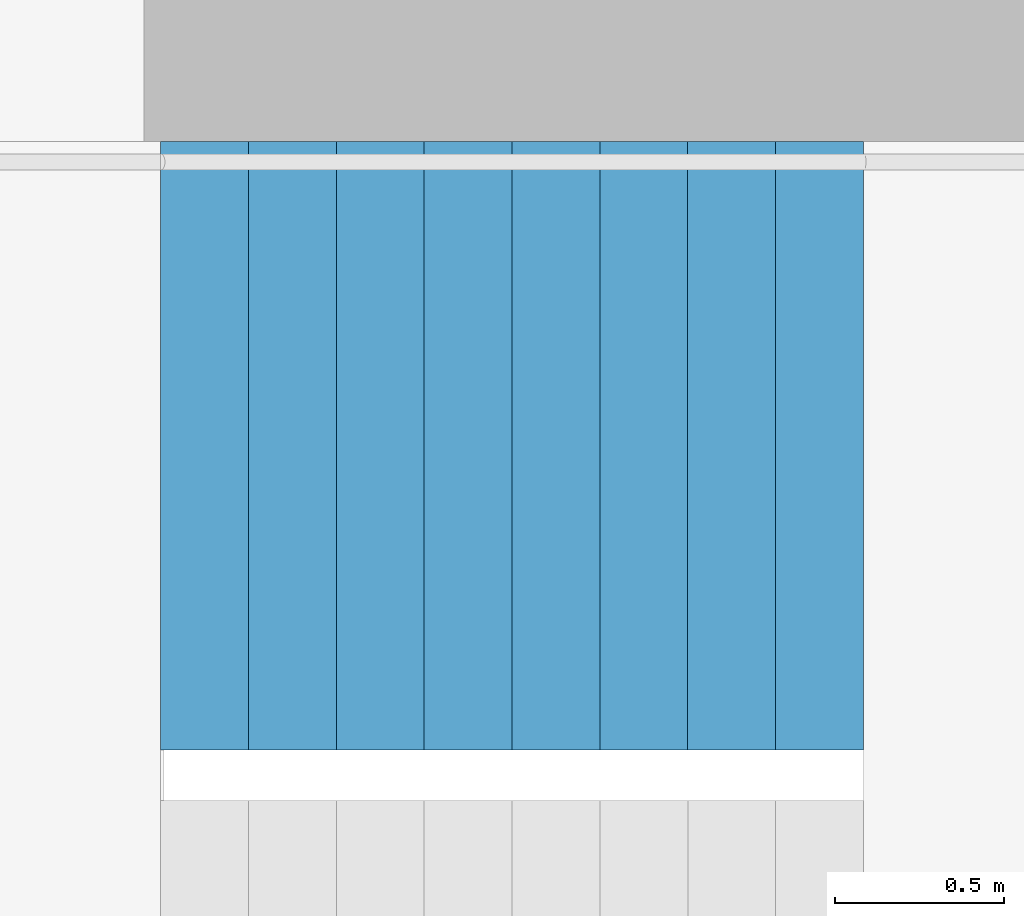
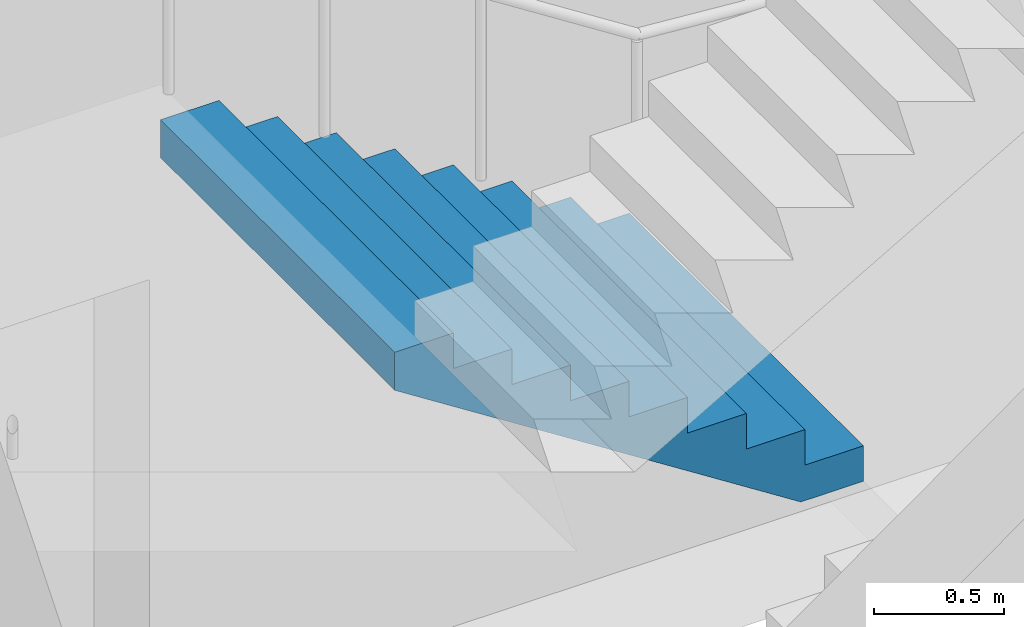
# One storey, part 24 of 35: 1 stair flight, 1 element without a shape of its own.
"""IFC4 building model written with IfcOpenShell, lengths in metres."""

from ifc_helpers import new_model, si_unit, direction, frame, origin, place, context, subcontext, project, spatial, triangles, material, type_object, element, aggregate, save


model = new_model("IFC4")

# Units and contexts
model_context = context("Model", 3, precision=1e-05, world=origin(), true_north=direction((0.0, 1.0)))
body_context = subcontext(model_context, "Body", "Model", "MODEL_VIEW")
ifc_project = project(units=[si_unit("LENGTHUNIT", "METRE"), si_unit("AREAUNIT", "SQUARE_METRE"), si_unit("VOLUMEUNIT", "CUBIC_METRE"), si_unit("PLANEANGLEUNIT", "RADIAN"), si_unit("MASSUNIT", "GRAM", prefix="KILO")], contexts=[model_context])

# Site, building, storey
site_placement = place(None, origin())
site = spatial("IfcSite", under=ifc_project, at=site_placement, CompositionType="ELEMENT")
building_placement = place(site_placement, origin())
building = spatial("IfcBuilding", under=site, at=building_placement, Name="Hakoniwa Tower and Hamabe Station Hall", CompositionType="ELEMENT")
storey_placement = place(building_placement, frame((0.0, 0.0, 264.60009765625)))
storey = spatial("IfcBuildingStorey", under=building, at=storey_placement, Name="L75", CompositionType="ELEMENT", Elevation=264.60009765625)

# Stair, stair flight
ifc_material_1 = material(Name="Concrete C40", Category="concrete")
stair_type = type_object("IfcStairType", Name="ESCAPE STAIR 1800", PredefinedType="HALF_TURN_STAIR", material=ifc_material_1)
stair_placement = place(storey_placement, origin())
stair = element("IfcStair", 1, at=stair_placement, inside=storey, type_object=stair_type, Name="Escape stair ST-1 L75", PredefinedType="HALF_TURN_STAIR")
ifc_material_2 = material(Name="Concrete C40", Category="concrete")
stair_flight_type = type_object("IfcStairFlightType", Name="STAIR FLIGHT 1800", PredefinedType="STRAIGHT", material=ifc_material_2)
stair_flight_placement = place(storey_placement, frame((-22.320068359375, 6.60009765625, 1.5), z_axis=(0.0, 0.0, 1.0), x_axis=(-1.0, 0.0, 0.0)))
stair_flight = element("IfcStairFlight", 2, at=stair_flight_placement, type_object=stair_flight_type, Name="ST-1 flight 2", NumberOfRisers=9, NumberOfTreads=8, PredefinedType="STRAIGHT", RiserHeight=0.166666667, TreadLength=0.26, context=body_context, shape_type="Tessellation", body=[
    triangles([(0.0, 0.89990234375, 0.0), (0.260009765625, 0.89990234375, 0.0), (0.27783203125, 0.89990234375, 0.0), (0.52001953125, 0.89990234375, 0.1552734375), (0.780029296875, 0.89990234375, 0.322021484375), (1.0400390625, 0.89990234375, 0.488525390625), (1.300048828125, 0.89990234375, 0.6552734375), (1.56005859375, 0.89990234375, 0.822021484375), (1.820068359375, 0.89990234375, 0.988525390625), (2.080078125, 0.89990234375, 1.1552734375), (2.080078125, 0.89990234375, 1.333251953125), (1.820068359375, 0.89990234375, 1.333251953125), (1.820068359375, 0.89990234375, 1.166748046875), (1.56005859375, 0.89990234375, 1.166748046875), (1.56005859375, 0.89990234375, 1.0), (1.300048828125, 0.89990234375, 1.0), (1.300048828125, 0.89990234375, 0.833251953125), (1.0400390625, 0.89990234375, 0.833251953125), (1.0400390625, 0.89990234375, 0.666748046875), (0.780029296875, 0.89990234375, 0.666748046875), (0.780029296875, 0.89990234375, 0.5), (0.52001953125, 0.89990234375, 0.5), (0.52001953125, 0.89990234375, 0.333251953125), (0.27783203125, 0.89990234375, 0.333251953125), (0.260009765625, 0.89990234375, 0.333251953125), (0.260009765625, 0.89990234375, 0.166748046875), (0.0, 0.89990234375, 0.166748046875), (0.0, 0.06005859375, 0.0), (0.260009765625, 0.06005859375, 0.0), (0.27783203125, 0.06005859375, 0.0), (0.52001953125, 0.06005859375, 0.1552734375), (0.780029296875, 0.06005859375, 0.322021484375), (1.0400390625, 0.06005859375, 0.488525390625), (1.300048828125, 0.06005859375, 0.6552734375), (1.56005859375, 0.06005859375, 0.822021484375), (1.820068359375, 0.06005859375, 0.988525390625), (2.080078125, 0.06005859375, 1.1552734375), (2.080078125, 0.06005859375, 1.333251953125), (1.820068359375, 0.06005859375, 1.333251953125), (1.820068359375, 0.06005859375, 1.166748046875), (1.56005859375, 0.06005859375, 1.166748046875), (1.56005859375, 0.06005859375, 1.0), (1.300048828125, 0.06005859375, 1.0), (1.300048828125, 0.06005859375, 0.833251953125), (1.0400390625, 0.06005859375, 0.833251953125), (1.0400390625, 0.06005859375, 0.666748046875), (0.780029296875, 0.06005859375, 0.666748046875), (0.780029296875, 0.06005859375, 0.5), (0.52001953125, 0.06005859375, 0.5), (0.52001953125, 0.06005859375, 0.333251953125), (0.27783203125, 0.06005859375, 0.333251953125), (0.260009765625, 0.06005859375, 0.333251953125), (0.260009765625, 0.06005859375, 0.166748046875), (0.0, 0.06005859375, 0.166748046875), (0.0, 0.04296875, 0.0), (0.260009765625, 0.04296875, 0.0), (0.27783203125, 0.04296875, 0.0), (0.52001953125, 0.04296875, 0.1552734375), (0.780029296875, 0.04296875, 0.322021484375), (1.0400390625, 0.04296875, 0.488525390625), (1.300048828125, 0.04296875, 0.6552734375), (1.56005859375, 0.04296875, 0.822021484375), (1.820068359375, 0.04296875, 0.988525390625), (2.080078125, 0.04296875, 1.1552734375), (2.080078125, 0.04296875, 1.333251953125), (1.820068359375, 0.04296875, 1.333251953125), (1.820068359375, 0.04296875, 1.166748046875), (1.56005859375, 0.04296875, 1.166748046875), (1.56005859375, 0.04296875, 1.0), (1.300048828125, 0.04296875, 1.0), (1.300048828125, 0.04296875, 0.833251953125), (1.0400390625, 0.04296875, 0.833251953125), (1.0400390625, 0.04296875, 0.666748046875), (0.780029296875, 0.04296875, 0.666748046875), (0.780029296875, 0.04296875, 0.5), (0.52001953125, 0.04296875, 0.5), (0.52001953125, 0.04296875, 0.333251953125), (0.27783203125, 0.04296875, 0.333251953125), (0.260009765625, 0.04296875, 0.333251953125), (0.260009765625, 0.04296875, 0.166748046875), (0.0, 0.04296875, 0.166748046875), (0.0, 0.025634765625, 0.0), (0.260009765625, 0.025634765625, 0.0), (0.27783203125, 0.025634765625, 0.0), (0.52001953125, 0.025634765625, 0.1552734375), (0.780029296875, 0.025634765625, 0.322021484375), (1.0400390625, 0.025634765625, 0.488525390625), (1.300048828125, 0.025634765625, 0.6552734375), (1.56005859375, 0.025634765625, 0.822021484375), (1.820068359375, 0.025634765625, 0.988525390625), (2.080078125, 0.025634765625, 1.1552734375), (2.080078125, 0.025634765625, 1.333251953125), (1.820068359375, 0.025634765625, 1.333251953125), (1.820068359375, 0.025634765625, 1.166748046875), (1.56005859375, 0.025634765625, 1.166748046875), (1.56005859375, 0.025634765625, 1.0), (1.300048828125, 0.025634765625, 1.0), (1.300048828125, 0.025634765625, 0.833251953125), (1.0400390625, 0.025634765625, 0.833251953125), (1.0400390625, 0.025634765625, 0.666748046875), (0.780029296875, 0.025634765625, 0.666748046875), (0.780029296875, 0.025634765625, 0.5), (0.52001953125, 0.025634765625, 0.5), (0.52001953125, 0.025634765625, 0.333251953125), (0.27783203125, 0.025634765625, 0.333251953125), (0.260009765625, 0.025634765625, 0.333251953125), (0.260009765625, 0.025634765625, 0.166748046875), (0.0, 0.025634765625, 0.166748046875), (0.0, 0.008544921875, 0.0), (0.260009765625, 0.008544921875, 0.0), (0.27783203125, 0.008544921875, 0.0), (0.52001953125, 0.008544921875, 0.1552734375), (0.780029296875, 0.008544921875, 0.322021484375), (1.0400390625, 0.008544921875, 0.488525390625), (1.300048828125, 0.008544921875, 0.6552734375), (1.56005859375, 0.008544921875, 0.822021484375), (1.820068359375, 0.008544921875, 0.988525390625), (2.080078125, 0.008544921875, 1.1552734375), (2.080078125, 0.008544921875, 1.333251953125), (1.820068359375, 0.008544921875, 1.333251953125), (1.820068359375, 0.008544921875, 1.166748046875), (1.56005859375, 0.008544921875, 1.166748046875), (1.56005859375, 0.008544921875, 1.0), (1.300048828125, 0.008544921875, 1.0), (1.300048828125, 0.008544921875, 0.833251953125), (1.0400390625, 0.008544921875, 0.833251953125), (1.0400390625, 0.008544921875, 0.666748046875), (0.780029296875, 0.008544921875, 0.666748046875), (0.780029296875, 0.008544921875, 0.5), (0.52001953125, 0.008544921875, 0.5), (0.52001953125, 0.008544921875, 0.333251953125), (0.27783203125, 0.008544921875, 0.333251953125), (0.260009765625, 0.008544921875, 0.333251953125), (0.260009765625, 0.008544921875, 0.166748046875), (0.0, 0.008544921875, 0.166748046875), (0.0, -0.008544921875, 0.0), (0.260009765625, -0.008544921875, 0.0), (0.27783203125, -0.008544921875, 0.0), (0.52001953125, -0.008544921875, 0.1552734375), (0.780029296875, -0.008544921875, 0.322021484375), (1.0400390625, -0.008544921875, 0.488525390625), (1.300048828125, -0.008544921875, 0.6552734375), (1.56005859375, -0.008544921875, 0.822021484375), (1.820068359375, -0.008544921875, 0.988525390625), (2.080078125, -0.008544921875, 1.1552734375), (2.080078125, -0.008544921875, 1.333251953125), (1.820068359375, -0.008544921875, 1.333251953125), (1.820068359375, -0.008544921875, 1.166748046875), (1.56005859375, -0.008544921875, 1.166748046875), (1.56005859375, -0.008544921875, 1.0), (1.300048828125, -0.008544921875, 1.0), (1.300048828125, -0.008544921875, 0.833251953125), (1.0400390625, -0.008544921875, 0.833251953125), (1.0400390625, -0.008544921875, 0.666748046875), (0.780029296875, -0.008544921875, 0.666748046875), (0.780029296875, -0.008544921875, 0.5), (0.52001953125, -0.008544921875, 0.5), (0.52001953125, -0.008544921875, 0.333251953125), (0.27783203125, -0.008544921875, 0.333251953125), (0.260009765625, -0.008544921875, 0.333251953125), (0.260009765625, -0.008544921875, 0.166748046875), (0.0, -0.008544921875, 0.166748046875), (0.0, -0.025634765625, 0.0), (0.260009765625, -0.025634765625, 0.0), (0.27783203125, -0.025634765625, 0.0), (0.52001953125, -0.025634765625, 0.1552734375), (0.780029296875, -0.025634765625, 0.322021484375), (1.0400390625, -0.025634765625, 0.488525390625), (1.300048828125, -0.025634765625, 0.6552734375), (1.56005859375, -0.025634765625, 0.822021484375), (1.820068359375, -0.025634765625, 0.988525390625), (2.080078125, -0.025634765625, 1.1552734375), (2.080078125, -0.025634765625, 1.333251953125), (1.820068359375, -0.025634765625, 1.333251953125), (1.820068359375, -0.025634765625, 1.166748046875), (1.56005859375, -0.025634765625, 1.166748046875), (1.56005859375, -0.025634765625, 1.0), (1.300048828125, -0.025634765625, 1.0), (1.300048828125, -0.025634765625, 0.833251953125), (1.0400390625, -0.025634765625, 0.833251953125), (1.0400390625, -0.025634765625, 0.666748046875), (0.780029296875, -0.025634765625, 0.666748046875), (0.780029296875, -0.025634765625, 0.5), (0.52001953125, -0.025634765625, 0.5), (0.52001953125, -0.025634765625, 0.333251953125), (0.27783203125, -0.025634765625, 0.333251953125), (0.260009765625, -0.025634765625, 0.333251953125), (0.260009765625, -0.025634765625, 0.166748046875), (0.0, -0.025634765625, 0.166748046875), (0.0, -0.04296875, 0.0), (0.260009765625, -0.04296875, 0.0), (0.27783203125, -0.04296875, 0.0), (0.52001953125, -0.04296875, 0.1552734375), (0.780029296875, -0.04296875, 0.322021484375), (1.0400390625, -0.04296875, 0.488525390625), (1.300048828125, -0.04296875, 0.6552734375), (1.56005859375, -0.04296875, 0.822021484375), (1.820068359375, -0.04296875, 0.988525390625), (2.080078125, -0.04296875, 1.1552734375), (2.080078125, -0.04296875, 1.333251953125), (1.820068359375, -0.04296875, 1.333251953125), (1.820068359375, -0.04296875, 1.166748046875), (1.56005859375, -0.04296875, 1.166748046875), (1.56005859375, -0.04296875, 1.0), (1.300048828125, -0.04296875, 1.0), (1.300048828125, -0.04296875, 0.833251953125), (1.0400390625, -0.04296875, 0.833251953125), (1.0400390625, -0.04296875, 0.666748046875), (0.780029296875, -0.04296875, 0.666748046875), (0.780029296875, -0.04296875, 0.5), (0.52001953125, -0.04296875, 0.5), (0.52001953125, -0.04296875, 0.333251953125), (0.27783203125, -0.04296875, 0.333251953125), (0.260009765625, -0.04296875, 0.333251953125), (0.260009765625, -0.04296875, 0.166748046875), (0.0, -0.04296875, 0.166748046875), (0.0, -0.06005859375, 0.0), (0.260009765625, -0.06005859375, 0.0), (0.27783203125, -0.06005859375, 0.0), (0.52001953125, -0.06005859375, 0.1552734375), (0.780029296875, -0.06005859375, 0.322021484375), (1.0400390625, -0.06005859375, 0.488525390625), (1.300048828125, -0.06005859375, 0.6552734375), (1.56005859375, -0.06005859375, 0.822021484375), (1.820068359375, -0.06005859375, 0.988525390625), (2.080078125, -0.06005859375, 1.1552734375), (2.080078125, -0.06005859375, 1.333251953125), (1.820068359375, -0.06005859375, 1.333251953125), (1.820068359375, -0.06005859375, 1.166748046875), (1.56005859375, -0.06005859375, 1.166748046875), (1.56005859375, -0.06005859375, 1.0), (1.300048828125, -0.06005859375, 1.0), (1.300048828125, -0.06005859375, 0.833251953125), (1.0400390625, -0.06005859375, 0.833251953125), (1.0400390625, -0.06005859375, 0.666748046875), (0.780029296875, -0.06005859375, 0.666748046875), (0.780029296875, -0.06005859375, 0.5), (0.52001953125, -0.06005859375, 0.5), (0.52001953125, -0.06005859375, 0.333251953125), (0.27783203125, -0.06005859375, 0.333251953125), (0.260009765625, -0.06005859375, 0.333251953125), (0.260009765625, -0.06005859375, 0.166748046875), (0.0, -0.06005859375, 0.166748046875), (0.0, -0.89990234375, 0.0), (0.260009765625, -0.89990234375, 0.0), (0.27783203125, -0.89990234375, 0.0), (0.52001953125, -0.89990234375, 0.1552734375), (0.780029296875, -0.89990234375, 0.322021484375), (1.0400390625, -0.89990234375, 0.488525390625), (1.300048828125, -0.89990234375, 0.6552734375), (1.56005859375, -0.89990234375, 0.822021484375), (1.820068359375, -0.89990234375, 0.988525390625), (2.080078125, -0.89990234375, 1.1552734375), (2.080078125, -0.89990234375, 1.333251953125), (1.820068359375, -0.89990234375, 1.333251953125), (1.820068359375, -0.89990234375, 1.166748046875), (1.56005859375, -0.89990234375, 1.166748046875), (1.56005859375, -0.89990234375, 1.0), (1.300048828125, -0.89990234375, 1.0), (1.300048828125, -0.89990234375, 0.833251953125), (1.0400390625, -0.89990234375, 0.833251953125), (1.0400390625, -0.89990234375, 0.666748046875), (0.780029296875, -0.89990234375, 0.666748046875), (0.780029296875, -0.89990234375, 0.5), (0.52001953125, -0.89990234375, 0.5), (0.52001953125, -0.89990234375, 0.333251953125), (0.27783203125, -0.89990234375, 0.333251953125), (0.260009765625, -0.89990234375, 0.333251953125), (0.260009765625, -0.89990234375, 0.166748046875), (0.0, -0.89990234375, 0.166748046875)], [[2, 27, 26], [245, 269, 270], [2, 1, 27], [245, 270, 244], [3, 25, 24], [246, 267, 268], [3, 26, 25], [246, 268, 269], [3, 2, 26], [246, 269, 245], [4, 24, 23], [247, 266, 267], [4, 3, 24], [247, 267, 246], [5, 22, 21], [248, 264, 265], [5, 23, 22], [248, 265, 266], [5, 4, 23], [248, 266, 247], [6, 20, 19], [249, 262, 263], [6, 21, 20], [249, 263, 264], [6, 5, 21], [249, 264, 248], [7, 18, 17], [250, 260, 261], [7, 19, 18], [250, 261, 262], [7, 6, 19], [250, 262, 249], [8, 16, 15], [251, 258, 259], [8, 17, 16], [251, 259, 260], [8, 7, 17], [251, 260, 250], [9, 14, 13], [252, 256, 257], [9, 15, 14], [252, 257, 258], [9, 8, 15], [252, 258, 251], [10, 12, 11], [253, 254, 255], [10, 13, 12], [253, 255, 256], [10, 9, 13], [253, 256, 252], [1, 2, 29], [1, 29, 28], [28, 29, 56], [28, 56, 55], [55, 56, 83], [55, 83, 82], [82, 83, 110], [82, 110, 109], [109, 110, 137], [109, 137, 136], [136, 137, 164], [136, 164, 163], [163, 164, 191], [163, 191, 190], [190, 191, 218], [190, 218, 217], [217, 218, 245], [217, 245, 244], [2, 3, 30], [2, 30, 29], [29, 30, 57], [29, 57, 56], [56, 57, 84], [56, 84, 83], [83, 84, 111], [83, 111, 110], [110, 111, 138], [110, 138, 137], [137, 138, 165], [137, 165, 164], [164, 165, 192], [164, 192, 191], [191, 192, 219], [191, 219, 218], [218, 219, 246], [218, 246, 245], [3, 4, 31], [3, 31, 30], [30, 31, 58], [30, 58, 57], [57, 58, 85], [57, 85, 84], [84, 85, 112], [84, 112, 111], [111, 112, 139], [111, 139, 138], [138, 139, 166], [138, 166, 165], [165, 166, 193], [165, 193, 192], [192, 193, 220], [192, 220, 219], [219, 220, 247], [219, 247, 246], [4, 5, 32], [4, 32, 31], [31, 32, 59], [31, 59, 58], [58, 59, 86], [58, 86, 85], [85, 86, 113], [85, 113, 112], [112, 113, 140], [112, 140, 139], [139, 140, 167], [139, 167, 166], [166, 167, 194], [166, 194, 193], [193, 194, 221], [193, 221, 220], [220, 221, 248], [220, 248, 247], [5, 6, 33], [5, 33, 32], [32, 33, 60], [32, 60, 59], [59, 60, 87], [59, 87, 86], [86, 87, 114], [86, 114, 113], [113, 114, 141], [113, 141, 140], [140, 141, 168], [140, 168, 167], [167, 168, 195], [167, 195, 194], [194, 195, 222], [194, 222, 221], [221, 222, 249], [221, 249, 248], [6, 7, 34], [6, 34, 33], [33, 34, 61], [33, 61, 60], [60, 61, 88], [60, 88, 87], [87, 88, 115], [87, 115, 114], [114, 115, 142], [114, 142, 141], [141, 142, 169], [141, 169, 168], [168, 169, 196], [168, 196, 195], [195, 196, 223], [195, 223, 222], [222, 223, 250], [222, 250, 249], [7, 8, 35], [7, 35, 34], [34, 35, 62], [34, 62, 61], [61, 62, 89], [61, 89, 88], [88, 89, 116], [88, 116, 115], [115, 116, 143], [115, 143, 142], [142, 143, 170], [142, 170, 169], [169, 170, 197], [169, 197, 196], [196, 197, 224], [196, 224, 223], [223, 224, 251], [223, 251, 250], [8, 9, 36], [8, 36, 35], [35, 36, 63], [35, 63, 62], [62, 63, 90], [62, 90, 89], [89, 90, 117], [89, 117, 116], [116, 117, 144], [116, 144, 143], [143, 144, 171], [143, 171, 170], [170, 171, 198], [170, 198, 197], [197, 198, 225], [197, 225, 224], [224, 225, 252], [224, 252, 251], [9, 10, 37], [9, 37, 36], [36, 37, 64], [36, 64, 63], [63, 64, 91], [63, 91, 90], [90, 91, 118], [90, 118, 117], [117, 118, 145], [117, 145, 144], [144, 145, 172], [144, 172, 171], [171, 172, 199], [171, 199, 198], [198, 199, 226], [198, 226, 225], [225, 226, 253], [225, 253, 252], [10, 11, 38], [10, 38, 37], [37, 38, 65], [37, 65, 64], [64, 65, 92], [64, 92, 91], [91, 92, 119], [91, 119, 118], [118, 119, 146], [118, 146, 145], [145, 146, 173], [145, 173, 172], [172, 173, 200], [172, 200, 199], [199, 200, 227], [199, 227, 226], [226, 227, 254], [226, 254, 253], [11, 12, 39], [11, 39, 38], [38, 39, 66], [38, 66, 65], [65, 66, 93], [65, 93, 92], [92, 93, 120], [92, 120, 119], [119, 120, 147], [119, 147, 146], [146, 147, 174], [146, 174, 173], [173, 174, 201], [173, 201, 200], [200, 201, 228], [200, 228, 227], [227, 228, 255], [227, 255, 254], [12, 13, 40], [12, 40, 39], [39, 40, 67], [39, 67, 66], [66, 67, 94], [66, 94, 93], [93, 94, 121], [93, 121, 120], [120, 121, 148], [120, 148, 147], [147, 148, 175], [147, 175, 174], [174, 175, 202], [174, 202, 201], [201, 202, 229], [201, 229, 228], [228, 229, 256], [228, 256, 255], [13, 14, 41], [13, 41, 40], [40, 41, 68], [40, 68, 67], [67, 68, 95], [67, 95, 94], [94, 95, 122], [94, 122, 121], [121, 122, 149], [121, 149, 148], [148, 149, 176], [148, 176, 175], [175, 176, 203], [175, 203, 202], [202, 203, 230], [202, 230, 229], [229, 230, 257], [229, 257, 256], [14, 15, 42], [14, 42, 41], [41, 42, 69], [41, 69, 68], [68, 69, 96], [68, 96, 95], [95, 96, 123], [95, 123, 122], [122, 123, 150], [122, 150, 149], [149, 150, 177], [149, 177, 176], [176, 177, 204], [176, 204, 203], [203, 204, 231], [203, 231, 230], [230, 231, 258], [230, 258, 257], [15, 16, 43], [15, 43, 42], [42, 43, 70], [42, 70, 69], [69, 70, 97], [69, 97, 96], [96, 97, 124], [96, 124, 123], [123, 124, 151], [123, 151, 150], [150, 151, 178], [150, 178, 177], [177, 178, 205], [177, 205, 204], [204, 205, 232], [204, 232, 231], [231, 232, 259], [231, 259, 258], [16, 17, 44], [16, 44, 43], [43, 44, 71], [43, 71, 70], [70, 71, 98], [70, 98, 97], [97, 98, 125], [97, 125, 124], [124, 125, 152], [124, 152, 151], [151, 152, 179], [151, 179, 178], [178, 179, 206], [178, 206, 205], [205, 206, 233], [205, 233, 232], [232, 233, 260], [232, 260, 259], [17, 18, 45], [17, 45, 44], [44, 45, 72], [44, 72, 71], [71, 72, 99], [71, 99, 98], [98, 99, 126], [98, 126, 125], [125, 126, 153], [125, 153, 152], [152, 153, 180], [152, 180, 179], [179, 180, 207], [179, 207, 206], [206, 207, 234], [206, 234, 233], [233, 234, 261], [233, 261, 260], [18, 19, 46], [18, 46, 45], [45, 46, 73], [45, 73, 72], [72, 73, 100], [72, 100, 99], [99, 100, 127], [99, 127, 126], [126, 127, 154], [126, 154, 153], [153, 154, 181], [153, 181, 180], [180, 181, 208], [180, 208, 207], [207, 208, 235], [207, 235, 234], [234, 235, 262], [234, 262, 261], [19, 20, 47], [19, 47, 46], [46, 47, 74], [46, 74, 73], [73, 74, 101], [73, 101, 100], [100, 101, 128], [100, 128, 127], [127, 128, 155], [127, 155, 154], [154, 155, 182], [154, 182, 181], [181, 182, 209], [181, 209, 208], [208, 209, 236], [208, 236, 235], [235, 236, 263], [235, 263, 262], [20, 21, 48], [20, 48, 47], [47, 48, 75], [47, 75, 74], [74, 75, 102], [74, 102, 101], [101, 102, 129], [101, 129, 128], [128, 129, 156], [128, 156, 155], [155, 156, 183], [155, 183, 182], [182, 183, 210], [182, 210, 209], [209, 210, 237], [209, 237, 236], [236, 237, 264], [236, 264, 263], [21, 22, 49], [21, 49, 48], [48, 49, 76], [48, 76, 75], [75, 76, 103], [75, 103, 102], [102, 103, 130], [102, 130, 129], [129, 130, 157], [129, 157, 156], [156, 157, 184], [156, 184, 183], [183, 184, 211], [183, 211, 210], [210, 211, 238], [210, 238, 237], [237, 238, 265], [237, 265, 264], [22, 23, 50], [22, 50, 49], [49, 50, 77], [49, 77, 76], [76, 77, 104], [76, 104, 103], [103, 104, 131], [103, 131, 130], [130, 131, 158], [130, 158, 157], [157, 158, 185], [157, 185, 184], [184, 185, 212], [184, 212, 211], [211, 212, 239], [211, 239, 238], [238, 239, 266], [238, 266, 265], [23, 24, 51], [23, 51, 50], [50, 51, 78], [50, 78, 77], [77, 78, 105], [77, 105, 104], [104, 105, 132], [104, 132, 131], [131, 132, 159], [131, 159, 158], [158, 159, 186], [158, 186, 185], [185, 186, 213], [185, 213, 212], [212, 213, 240], [212, 240, 239], [239, 240, 267], [239, 267, 266], [24, 25, 52], [24, 52, 51], [51, 52, 79], [51, 79, 78], [78, 79, 106], [78, 106, 105], [105, 106, 133], [105, 133, 132], [132, 133, 160], [132, 160, 159], [159, 160, 187], [159, 187, 186], [186, 187, 214], [186, 214, 213], [213, 214, 241], [213, 241, 240], [240, 241, 268], [240, 268, 267], [25, 26, 53], [25, 53, 52], [52, 53, 80], [52, 80, 79], [79, 80, 107], [79, 107, 106], [106, 107, 134], [106, 134, 133], [133, 134, 161], [133, 161, 160], [160, 161, 188], [160, 188, 187], [187, 188, 215], [187, 215, 214], [214, 215, 242], [214, 242, 241], [241, 242, 269], [241, 269, 268], [26, 27, 54], [26, 54, 53], [53, 54, 81], [53, 81, 80], [80, 81, 108], [80, 108, 107], [107, 108, 135], [107, 135, 134], [134, 135, 162], [134, 162, 161], [161, 162, 189], [161, 189, 188], [188, 189, 216], [188, 216, 215], [215, 216, 243], [215, 243, 242], [242, 243, 270], [242, 270, 269], [27, 1, 28], [27, 28, 54], [54, 28, 55], [54, 55, 81], [81, 55, 82], [81, 82, 108], [108, 82, 109], [108, 109, 135], [135, 109, 136], [135, 136, 162], [162, 136, 163], [162, 163, 189], [189, 163, 190], [189, 190, 216], [216, 190, 217], [216, 217, 243], [243, 217, 244], [243, 244, 270]], closed=True),
])
aggregate(stair, [stair_flight])

save(model, "model.ifc")
